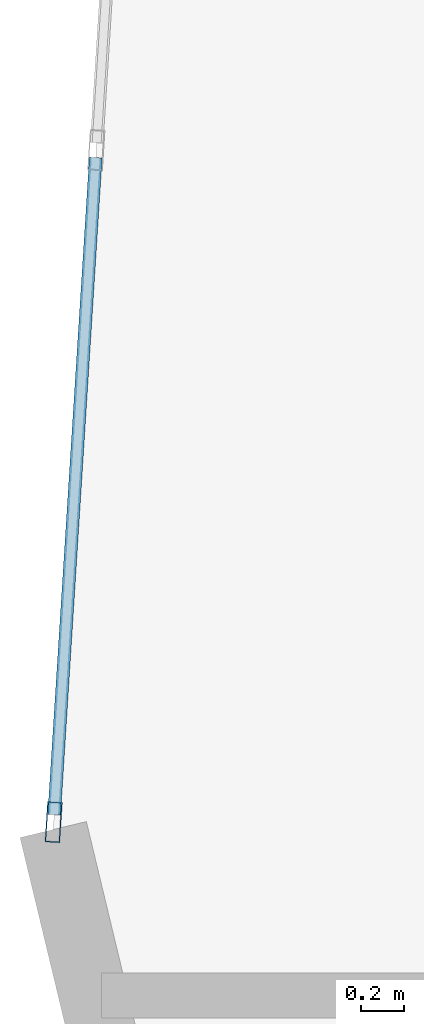
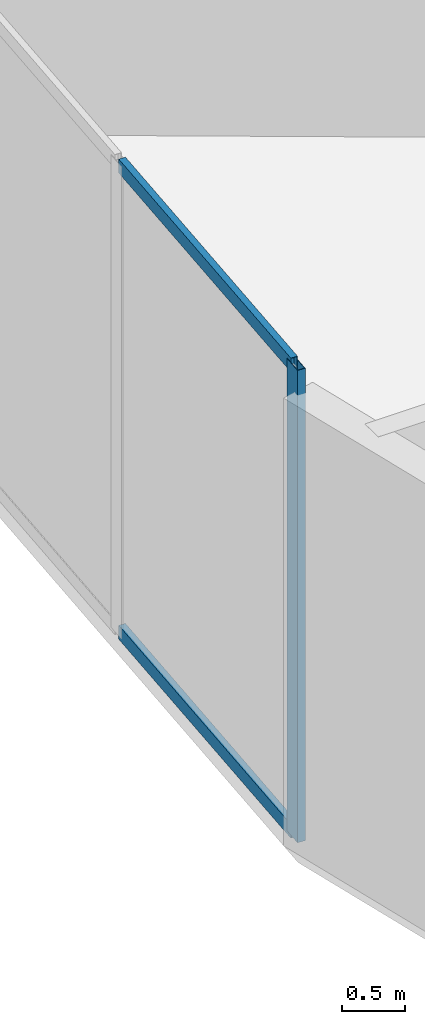
# One storey, part 7 of 23: 3 members, 1 element without a shape of its own.
"""IFC4 building model written with IfcOpenShell, lengths in metres."""

from ifc_helpers import new_model, si_unit, direction, frame, origin, origin_2d, place, context, subcontext, project, spatial, hollow_rectangle, extrude, source, transform, mapped, material, layer, layer_set, material_profile, profile_set, type_object, element, aggregate, save


model = new_model("IFC4")

# Units and contexts
model_context = context("Model", 3, precision=1e-05, world=origin(), true_north=direction((0.0, 1.0)))
body_context = subcontext(model_context, "Body", "Model", "MODEL_VIEW")
ifc_project = project(units=[si_unit("LENGTHUNIT", "METRE"), si_unit("AREAUNIT", "SQUARE_METRE"), si_unit("VOLUMEUNIT", "CUBIC_METRE"), si_unit("PLANEANGLEUNIT", "RADIAN"), si_unit("MASSUNIT", "GRAM", prefix="KILO")], contexts=[model_context])

# Site, building, storey
site_placement = place(None, origin())
site = spatial("IfcSite", under=ifc_project, at=site_placement, CompositionType="ELEMENT")
building_placement = place(site_placement, origin())
building = spatial("IfcBuilding", under=site, at=building_placement, Name="Solvirekh Grand Hotel", CompositionType="ELEMENT")
storey_placement = place(building_placement, frame((0.0, 0.0, 168.60009765625)))
storey = spatial("IfcBuildingStorey", under=building, at=storey_placement, Name="L43", CompositionType="ELEMENT", Elevation=168.60009765625)

# Curtain wall, members
ifc_material = material(Name="Anodized Bronze Aluminium 6063-T6", Category="aluminium")
ifc_layer = layer(ifc_material, 0.18994140625)
ifc_layer_set = layer_set([ifc_layer], Name="Anodized Bronze Aluminium 6063-T6")
curtain_wall_type = type_object("IfcCurtainWallType", Name="CW_Sys5_SkyLobbyPanoramaCW", PredefinedType="NOTDEFINED", material=ifc_layer_set)
curtain_wall_placement = place(storey_placement, origin())
curtain_wall = element("IfcCurtainWall", 1, at=curtain_wall_placement, inside=storey, type_object=curtain_wall_type, Name="L43 unitised bronze-glass curtain wall CW-L43-C13", PredefinedType="NOTDEFINED")
ifc_material_profile_1 = material_profile(ifc_material, hollow_rectangle(XDim=0.070068359375, YDim=0.18994140625, WallThickness=0.0048828125, at=origin_2d()), Name="ALU RHS 190X70X5")
ifc_profile_set_1 = profile_set([ifc_material_profile_1], Name="Anodized Bronze Aluminium 6063-T6")
member_type_1 = type_object("IfcMemberType", Name="CWMullion_Sys5", PredefinedType="MULLION", material=ifc_profile_set_1)
shared_shape_1 = source(origin(), body_context, "Body", "SweptSolid", [
    extrude(hollow_rectangle(XDim=0.070068359375, YDim=0.18994140625, WallThickness=0.0048828125, at=origin_2d()), origin(), (0.0, 0.0, 1.0), 4.599853515625),
])
member_1_placement = place(storey_placement, frame((-21.125732421875, 0.81298828125, 0.0), z_axis=(0.0, 0.0, 1.0), x_axis=(0.997999239989, -0.063225920175, 0.0)))
member_1 = element("IfcMember", 2, at=member_1_placement, type_object=member_type_1, Name="U05 mullion 3", PredefinedType="MULLION", context=body_context, shape_type="MappedRepresentation", body=[
    mapped(shared_shape_1, transform((0.0, 0.0, 0.0), x_axis=(1.0, 0.0, 0.0), y_axis=(0.0, 1.0, 0.0), z_axis=(0.0, 0.0, 1.0), scale=1.0)),
])
ifc_material_profile_2 = material_profile(ifc_material, hollow_rectangle(XDim=0.06005859375, YDim=0.135009765625, WallThickness=0.00390625, at=origin_2d()), Name="ALU RHS 135X60X4")
ifc_profile_set_2 = profile_set([ifc_material_profile_2], Name="Anodized Bronze Aluminium 6063-T6")
member_type_2 = type_object("IfcMemberType", Name="CWTransom_Sys5", PredefinedType="USERDEFINED", material=ifc_profile_set_2)
shared_shape_2 = source(origin(), body_context, "Body", "SweptSolid", [
    extrude(hollow_rectangle(XDim=0.06005859375, YDim=0.135009765625, WallThickness=0.00390625, at=origin_2d()), origin(), (0.0, 0.0, 1.0), 3.08984375),
])
member_2_placement = place(storey_placement, frame((-20.92822265625, 3.931640625, 0.02978515625), z_axis=(-0.063209581187, -0.998000274973, 0.0), x_axis=(0.998000274973, -0.063209581187, 0.0)))
member_2 = element("IfcMember", 3, at=member_2_placement, type_object=member_type_2, Name="U05 transom 2.1", ObjectType="TRANSOM", PredefinedType="USERDEFINED", context=body_context, shape_type="MappedRepresentation", body=[
    mapped(shared_shape_2, transform((0.0, 0.0, 0.0), x_axis=(1.0, 0.0, 0.0), y_axis=(0.0, 1.0, 0.0), z_axis=(0.0, 0.0, 1.0), scale=1.0)),
])
member_3_placement = place(storey_placement, frame((-20.92822265625, 3.931640625, 4.56982421875), z_axis=(-0.063209581187, -0.998000274973, 0.0), x_axis=(0.998000274973, -0.063209581187, 0.0)))
member_3 = element("IfcMember", 4, at=member_3_placement, type_object=member_type_2, Name="U05 transom 2.2", ObjectType="TRANSOM", PredefinedType="USERDEFINED", context=body_context, shape_type="MappedRepresentation", body=[
    mapped(shared_shape_2, transform((0.0, 0.0, 0.0), x_axis=(1.0, 0.0, 0.0), y_axis=(0.0, 1.0, 0.0), z_axis=(0.0, 0.0, 1.0), scale=1.0)),
])
aggregate(curtain_wall, [member_1, member_2, member_3])

save(model, "model.ifc")
